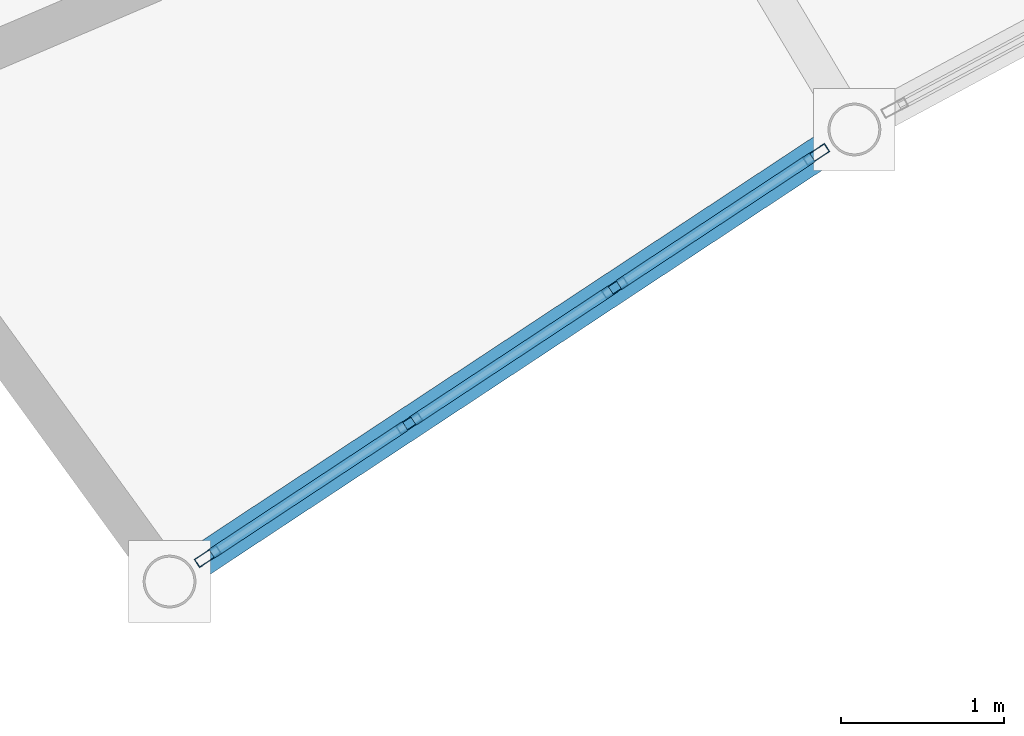
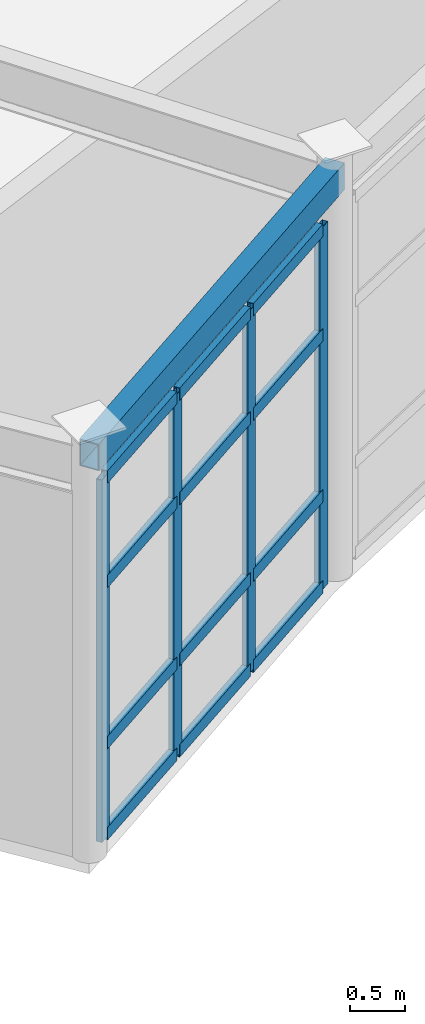
# One storey, part 57 of 105: 16 members, 1 beam, 1 element without a shape of its own.
"""IFC4 building model written with IfcOpenShell, lengths in metres."""

from ifc_helpers import new_model, si_unit, direction, frame, origin, origin_2d, place, context, subcontext, project, spatial, hollow_rectangle, extrude, material, layer, layer_set, material_profile, profile_set, type_object, element, aggregate, save


model = new_model("IFC4")

# Units and contexts
model_context = context("Model", 3, precision=1e-05, world=origin(), true_north=direction((0.0, 1.0)))
body_context = subcontext(model_context, "Body", "Model", "MODEL_VIEW")
ifc_project = project(units=[si_unit("LENGTHUNIT", "METRE"), si_unit("AREAUNIT", "SQUARE_METRE"), si_unit("VOLUMEUNIT", "CUBIC_METRE"), si_unit("PLANEANGLEUNIT", "RADIAN"), si_unit("MASSUNIT", "GRAM", prefix="KILO")], contexts=[model_context])

# Site, building, storey
site_placement = place(None, origin())
site = spatial("IfcSite", under=ifc_project, at=site_placement, CompositionType="ELEMENT")
building_placement = place(site_placement, origin())
building = spatial("IfcBuilding", under=site, at=building_placement, Name="Selat Folded Stagehouse", CompositionType="ELEMENT")
storey_placement = place(building_placement, frame((0.0, 0.0, 10.199951171875)))
storey = spatial("IfcBuildingStorey", under=building, at=storey_placement, Name="L02", CompositionType="ELEMENT", Elevation=10.199951171875)

# Curtain wall, members
ifc_material_1 = material(Name="Aluminium 6063-T6", Category="aluminium")
ifc_layer = layer(ifc_material_1, 0.18994140625)
ifc_layer_set = layer_set([ifc_layer], Name="Aluminium 6063-T6")
curtain_wall_type = type_object("IfcCurtainWallType", Name="CW-REH-ARC", PredefinedType="NOTDEFINED", material=ifc_layer_set)
curtain_wall_placement = place(storey_placement, origin())
curtain_wall = element("IfcCurtainWall", 1, at=curtain_wall_placement, inside=storey, type_object=curtain_wall_type, Name="L02 curtain wall CW-REH-L02-00", PredefinedType="NOTDEFINED")
ifc_material_profile_1 = material_profile(ifc_material_1, hollow_rectangle(XDim=0.06005859375, YDim=0.159912109375, WallThickness=0.00390625, at=origin_2d()), Name="ALU 160x60x4.0")
ifc_profile_set_1 = profile_set([ifc_material_profile_1], Name="Aluminium 6063-T6")
member_type_1 = type_object("IfcMemberType", Name="CWM-MUL-160x60", PredefinedType="MULLION", material=ifc_profile_set_1)
member_1_placement = place(storey_placement, frame((63.44384765625, 85.9189453125, 0.0), z_axis=(0.0, 0.0, 1.0), x_axis=(0.550884695619, -0.834581363399, 0.0)))
member_1 = element("IfcMember", 2, at=member_1_placement, type_object=member_type_1, Name="CW-06 mullion 1", PredefinedType="MULLION", context=body_context, shape_type="SweptSolid", body=[
    extrude(hollow_rectangle(XDim=0.06005859375, YDim=0.159912109375, WallThickness=0.00390625, at=origin_2d()), origin(), (0.0, 0.0, 1.0), 4.050048828125),
])
member_2_placement = place(storey_placement, frame((62.210205078125, 85.1044921875, 0.0), z_axis=(0.0, 0.0, 1.0), x_axis=(0.550884695619, -0.834581363399, 0.0)))
member_2 = element("IfcMember", 3, at=member_2_placement, type_object=member_type_1, Name="CW-06 mullion 2", PredefinedType="MULLION", context=body_context, shape_type="SweptSolid", body=[
    extrude(hollow_rectangle(XDim=0.06005859375, YDim=0.159912109375, WallThickness=0.00390625, at=origin_2d()), origin(), (0.0, 0.0, 1.0), 4.050048828125),
])
member_3_placement = place(storey_placement, frame((60.951416015625, 84.273681640625, 0.0), z_axis=(0.0, 0.0, 1.0), x_axis=(0.550884695619, -0.834581363399, 0.0)))
member_3 = element("IfcMember", 4, at=member_3_placement, type_object=member_type_1, Name="CW-06 mullion 3", PredefinedType="MULLION", context=body_context, shape_type="SweptSolid", body=[
    extrude(hollow_rectangle(XDim=0.06005859375, YDim=0.159912109375, WallThickness=0.00390625, at=origin_2d()), origin(), (0.0, 0.0, 1.0), 4.050048828125),
])
member_4_placement = place(storey_placement, frame((59.717529296875, 83.459228515625, 0.0), z_axis=(0.0, 0.0, 1.0), x_axis=(0.550884695619, -0.834581363399, 0.0)))
member_4 = element("IfcMember", 5, at=member_4_placement, type_object=member_type_1, Name="CW-06 mullion 4", PredefinedType="MULLION", context=body_context, shape_type="SweptSolid", body=[
    extrude(hollow_rectangle(XDim=0.06005859375, YDim=0.159912109375, WallThickness=0.00390625, at=origin_2d()), origin(), (0.0, 0.0, 1.0), 4.050048828125),
])
ifc_material_profile_2 = material_profile(ifc_material_1, hollow_rectangle(XDim=0.06494140625, YDim=0.139892578125, WallThickness=0.00390625, at=origin_2d()), Name="ALU 140x65x4.0")
ifc_profile_set_2 = profile_set([ifc_material_profile_2], Name="Aluminium 6063-T6")
member_type_2 = type_object("IfcMemberType", Name="CWM-TRN-140x65", PredefinedType="USERDEFINED", material=ifc_profile_set_2)
member_5_placement = place(storey_placement, frame((63.4189453125, 85.90234375, 0.032470703125), z_axis=(-0.834584079601, -0.550880580595, 0.0), x_axis=(0.550880580595, -0.834584079601, 0.0)))
member_5 = element("IfcMember", 6, at=member_5_placement, type_object=member_type_2, Name="CW-06 transom 1.1", ObjectType="TRANSOM", PredefinedType="USERDEFINED", context=body_context, shape_type="SweptSolid", body=[
    extrude(hollow_rectangle(XDim=0.06494140625, YDim=0.139892578125, WallThickness=0.00390625, at=origin_2d()), origin(), (0.0, 0.0, 1.0), 1.418212890625),
])
member_6_placement = place(storey_placement, frame((63.4189453125, 85.90234375, 1.050048828125), z_axis=(-0.834584079601, -0.550880580595, 0.0), x_axis=(0.550880580595, -0.834584079601, 0.0)))
member_6 = element("IfcMember", 7, at=member_6_placement, type_object=member_type_2, Name="CW-06 transom 1.2", ObjectType="TRANSOM", PredefinedType="USERDEFINED", context=body_context, shape_type="SweptSolid", body=[
    extrude(hollow_rectangle(XDim=0.06494140625, YDim=0.139892578125, WallThickness=0.00390625, at=origin_2d()), origin(), (0.0, 0.0, 1.0), 1.418212890625),
])
member_7_placement = place(storey_placement, frame((63.4189453125, 85.90234375, 2.85009765625), z_axis=(-0.834584079601, -0.550880580595, 0.0), x_axis=(0.550880580595, -0.834584079601, 0.0)))
member_7 = element("IfcMember", 8, at=member_7_placement, type_object=member_type_2, Name="CW-06 transom 1.3", ObjectType="TRANSOM", PredefinedType="USERDEFINED", context=body_context, shape_type="SweptSolid", body=[
    extrude(hollow_rectangle(XDim=0.06494140625, YDim=0.139892578125, WallThickness=0.00390625, at=origin_2d()), origin(), (0.0, 0.0, 1.0), 1.418212890625),
])
member_8_placement = place(storey_placement, frame((63.4189453125, 85.90234375, 4.017578125), z_axis=(-0.834584079601, -0.550880580595, 0.0), x_axis=(0.550880580595, -0.834584079601, 0.0)))
member_8 = element("IfcMember", 9, at=member_8_placement, type_object=member_type_2, Name="CW-06 transom 1.4", ObjectType="TRANSOM", PredefinedType="USERDEFINED", context=body_context, shape_type="SweptSolid", body=[
    extrude(hollow_rectangle(XDim=0.06494140625, YDim=0.139892578125, WallThickness=0.00390625, at=origin_2d()), origin(), (0.0, 0.0, 1.0), 1.418212890625),
])
member_9_placement = place(storey_placement, frame((62.18505859375, 85.087890625, 0.032470703125), z_axis=(-0.834583056491, -0.550882130603, 0.0), x_axis=(0.550882130603, -0.834583056491, 0.0)))
member_9 = element("IfcMember", 10, at=member_9_placement, type_object=member_type_2, Name="CW-06 transom 2.1", ObjectType="TRANSOM", PredefinedType="USERDEFINED", context=body_context, shape_type="SweptSolid", body=[
    extrude(hollow_rectangle(XDim=0.06494140625, YDim=0.139892578125, WallThickness=0.00390625, at=origin_2d()), origin(), (0.0, 0.0, 1.0), 1.4482421875),
])
member_10_placement = place(storey_placement, frame((62.18505859375, 85.087890625, 1.050048828125), z_axis=(-0.834583056491, -0.550882130603, 0.0), x_axis=(0.550882130603, -0.834583056491, 0.0)))
member_10 = element("IfcMember", 11, at=member_10_placement, type_object=member_type_2, Name="CW-06 transom 2.2", ObjectType="TRANSOM", PredefinedType="USERDEFINED", context=body_context, shape_type="SweptSolid", body=[
    extrude(hollow_rectangle(XDim=0.06494140625, YDim=0.139892578125, WallThickness=0.00390625, at=origin_2d()), origin(), (0.0, 0.0, 1.0), 1.4482421875),
])
member_11_placement = place(storey_placement, frame((62.18505859375, 85.087890625, 2.85009765625), z_axis=(-0.834583056491, -0.550882130603, 0.0), x_axis=(0.550882130603, -0.834583056491, 0.0)))
member_11 = element("IfcMember", 12, at=member_11_placement, type_object=member_type_2, Name="CW-06 transom 2.3", ObjectType="TRANSOM", PredefinedType="USERDEFINED", context=body_context, shape_type="SweptSolid", body=[
    extrude(hollow_rectangle(XDim=0.06494140625, YDim=0.139892578125, WallThickness=0.00390625, at=origin_2d()), origin(), (0.0, 0.0, 1.0), 1.4482421875),
])
member_12_placement = place(storey_placement, frame((62.18505859375, 85.087890625, 4.017578125), z_axis=(-0.834583056491, -0.550882130603, 0.0), x_axis=(0.550882130603, -0.834583056491, 0.0)))
member_12 = element("IfcMember", 13, at=member_12_placement, type_object=member_type_2, Name="CW-06 transom 2.4", ObjectType="TRANSOM", PredefinedType="USERDEFINED", context=body_context, shape_type="SweptSolid", body=[
    extrude(hollow_rectangle(XDim=0.06494140625, YDim=0.139892578125, WallThickness=0.00390625, at=origin_2d()), origin(), (0.0, 0.0, 1.0), 1.4482421875),
])
member_13_placement = place(storey_placement, frame((60.92626953125, 84.257080078125, 0.032470703125), z_axis=(-0.834584079601, -0.550880580595, 0.0), x_axis=(0.550880580595, -0.834584079601, 0.0)))
member_13 = element("IfcMember", 14, at=member_13_placement, type_object=member_type_2, Name="CW-06 transom 3.1", ObjectType="TRANSOM", PredefinedType="USERDEFINED", context=body_context, shape_type="SweptSolid", body=[
    extrude(hollow_rectangle(XDim=0.06494140625, YDim=0.139892578125, WallThickness=0.00390625, at=origin_2d()), origin(), (0.0, 0.0, 1.0), 1.418212890625),
])
member_14_placement = place(storey_placement, frame((60.92626953125, 84.257080078125, 1.050048828125), z_axis=(-0.834584079601, -0.550880580595, 0.0), x_axis=(0.550880580595, -0.834584079601, 0.0)))
member_14 = element("IfcMember", 15, at=member_14_placement, type_object=member_type_2, Name="CW-06 transom 3.2", ObjectType="TRANSOM", PredefinedType="USERDEFINED", context=body_context, shape_type="SweptSolid", body=[
    extrude(hollow_rectangle(XDim=0.06494140625, YDim=0.139892578125, WallThickness=0.00390625, at=origin_2d()), origin(), (0.0, 0.0, 1.0), 1.418212890625),
])
member_15_placement = place(storey_placement, frame((60.92626953125, 84.257080078125, 2.85009765625), z_axis=(-0.834584079601, -0.550880580595, 0.0), x_axis=(0.550880580595, -0.834584079601, 0.0)))
member_15 = element("IfcMember", 16, at=member_15_placement, type_object=member_type_2, Name="CW-06 transom 3.3", ObjectType="TRANSOM", PredefinedType="USERDEFINED", context=body_context, shape_type="SweptSolid", body=[
    extrude(hollow_rectangle(XDim=0.06494140625, YDim=0.139892578125, WallThickness=0.00390625, at=origin_2d()), origin(), (0.0, 0.0, 1.0), 1.418212890625),
])
member_16_placement = place(storey_placement, frame((60.92626953125, 84.257080078125, 4.017578125), z_axis=(-0.834584079601, -0.550880580595, 0.0), x_axis=(0.550880580595, -0.834584079601, 0.0)))
member_16 = element("IfcMember", 17, at=member_16_placement, type_object=member_type_2, Name="CW-06 transom 3.4", ObjectType="TRANSOM", PredefinedType="USERDEFINED", context=body_context, shape_type="SweptSolid", body=[
    extrude(hollow_rectangle(XDim=0.06494140625, YDim=0.139892578125, WallThickness=0.00390625, at=origin_2d()), origin(), (0.0, 0.0, 1.0), 1.418212890625),
])
aggregate(curtain_wall, [member_1, member_2, member_3, member_4, member_5, member_6, member_7, member_8, member_9, member_10, member_11, member_12, member_13, member_14, member_15, member_16])

# Beam
ifc_material_2 = material(Name="Steel S355", Category="steel")
ifc_material_profile_3 = material_profile(ifc_material_2, hollow_rectangle(XDim=0.199951171875, YDim=0.300048828125, WallThickness=0.012451171875, at=origin_2d()), Name="RHS 300x200x12.5")
ifc_profile_set_3 = profile_set([ifc_material_profile_3], Name="Steel S355")
beam_type = type_object("IfcBeamType", Name="SPD-RHS-300x200", PredefinedType="SPANDREL", material=ifc_profile_set_3)
beam_placement = place(storey_placement, frame((59.48388671875, 83.304931640625, 4.449951171875), z_axis=(0.834583047468, 0.550882144274, 0.0), x_axis=(-0.550882144274, 0.834583047468, 0.0)))
element("IfcBeam", 18, at=beam_placement, inside=storey, type_object=beam_type, Name="L02 inner curved rehearsal spandrel 1", PredefinedType="SPANDREL", context=body_context, shape_type="SweptSolid", body=[
    extrude(hollow_rectangle(XDim=0.199951171875, YDim=0.300048828125, WallThickness=0.012451171875, at=origin_2d()), origin(), (0.0, 0.0, 1.0), 5.02490234375),
])

save(model, "model.ifc")
